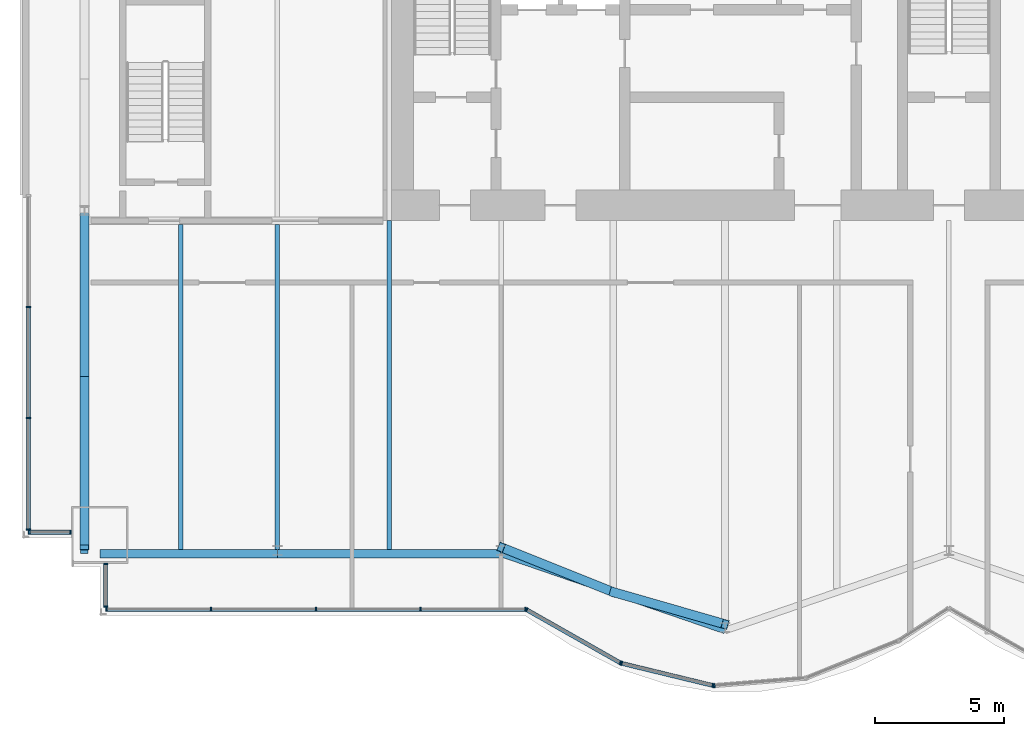
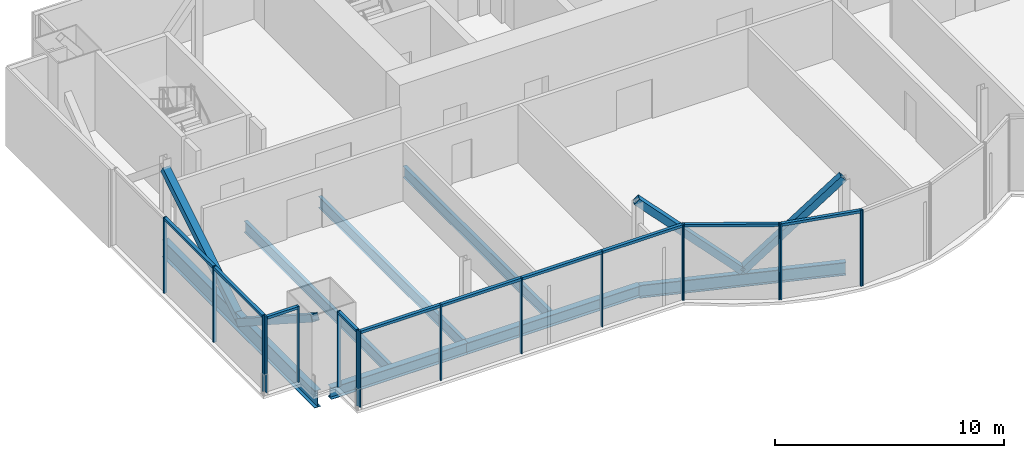
# One storey, part 5 of 19: 31 members, 7 beams, 5 elements without a shape of their own.
"""IFC4 building model written with IfcOpenShell, lengths in metres."""

import ifcopenshell
import ifcopenshell.guid

model = None  # the IFC model being written
_history = None  # IfcOwnerHistory: only IFC2X3 demands one
_inside = {}  # id of a spatial element -> (the spatial element, [elements in it])
_under = {}  # id of a project, library or spatial element -> (it, [spatial elements below it])
_declared = {}  # id of a project -> (the project, [libraries it declares])
_typed = {}  # id of a type object -> (the type object, [elements of that type])
_made_of = {}  # id of a material, layer set ... -> (it, [elements and type objects made of it])


def new_model(schema):
    """Start an empty IFC model of exactly this schema.

    Asked for "IFC4X3", IfcOpenShell would pick the latest addendum, in which some entities
    have other attributes; the version numbers below select the first issue.
    IFC2X3 requires an IfcOwnerHistory on every rooted entity: one is made here for all.
    """
    global model, _history
    if schema == "IFC4X3":
        model = ifcopenshell.file(schema_version=(4, 3, 0, 0))
    else:
        model = ifcopenshell.file(schema=schema)
    _inside.clear()
    _under.clear()
    _declared.clear()
    _typed.clear()
    _made_of.clear()
    _history = None
    if model.schema == "IFC2X3":
        org = make("IfcOrganization", Name="unknown")
        user = make(
            "IfcPersonAndOrganization",
            ThePerson=make("IfcPerson", FamilyName="unknown"),
            TheOrganization=org,
        )
        app = make(
            "IfcApplication",
            ApplicationDeveloper=org,
            Version="unknown",
            ApplicationFullName="unknown",
            ApplicationIdentifier="unknown",
        )
        _history = make(
            "IfcOwnerHistory",
            OwningUser=user,
            OwningApplication=app,
            ChangeAction="ADDED",
            CreationDate=0,
        )
    return model


def make(cls, **values):
    """One entity of the class cls with the attributes given. An attribute that is None is left unset."""
    return model.create_entity(
        cls, **{name: value for name, value in values.items() if value is not None}
    )


def rooted(cls, **values):
    """An entity with a GlobalId (a new one), such as an element, a storey or a relation."""
    return make(cls, GlobalId=ifcopenshell.guid.new(), OwnerHistory=_history, **values)


def si_unit(unit_type, name, prefix=None):
    """IfcSIUnit, for example si_unit("LENGTHUNIT", "METRE", prefix="MILLI")."""
    return make("IfcSIUnit", UnitType=unit_type, Prefix=prefix, Name=name)


def assignment(units):
    """IfcUnitAssignment: the units of a project."""
    return None if units is None else make("IfcUnitAssignment", Units=units)


def point(xyz):
    """IfcCartesianPoint."""
    return None if xyz is None else make("IfcCartesianPoint", Coordinates=xyz)


def direction(xyz):
    """IfcDirection."""
    return None if xyz is None else make("IfcDirection", DirectionRatios=xyz)


def frame(location, z_axis=None, x_axis=None):
    """IfcAxis2Placement3D, a coordinate frame: its origin and axes. An axis left out is left unset."""
    return make(
        "IfcAxis2Placement3D",
        Location=point(location),
        Axis=direction(z_axis),
        RefDirection=direction(x_axis),
    )


def frame_2d(location, x_axis=None):
    """IfcAxis2Placement2D, a coordinate frame in the plane: its origin and x axis."""
    return make(
        "IfcAxis2Placement2D", Location=point(location), RefDirection=direction(x_axis)
    )


def origin():
    """The frame at (0, 0, 0) with its axes left unset."""
    return frame((0.0, 0.0, 0.0))


def origin_2d():
    """The frame at (0, 0) in the plane with its x axis left unset."""
    return frame_2d((0.0, 0.0))


def place(relative_to, where):
    """IfcLocalPlacement: puts the frame where relative to a parent placement (None: the world)."""
    return make(
        "IfcLocalPlacement", PlacementRelTo=relative_to, RelativePlacement=where
    )


def context(
    kind, dimensions, precision=None, world=None, true_north=None, identifier=None
):
    """IfcGeometricRepresentationContext, for example the 3D "Model" context."""
    return make(
        "IfcGeometricRepresentationContext",
        ContextIdentifier=identifier,
        ContextType=kind,
        CoordinateSpaceDimension=dimensions,
        Precision=precision,
        WorldCoordinateSystem=world,
        TrueNorth=true_north,
    )


def subcontext(parent, identifier, kind, view, scale=None):
    """IfcGeometricRepresentationSubContext, for example "Body" below "Model"."""
    return make(
        "IfcGeometricRepresentationSubContext",
        ContextIdentifier=identifier,
        ContextType=kind,
        ParentContext=parent,
        TargetScale=scale,
        TargetView=view,
    )


def project(units=None, contexts=None):
    """IfcProject with its units and contexts."""
    return rooted(
        "IfcProject",
        Name="project",
        RepresentationContexts=contexts,
        UnitsInContext=assignment(units),
    )


def spatial(cls, under=None, at=None, **own):
    """A site, building, storey or space (cls), placed at a placement, below another one or the project."""
    s = rooted(cls, ObjectPlacement=at, **own)
    if under is not None:
        _under.setdefault(under.id(), (under, []))[1].append(s)
    return s


def profile(cls, at=None, kind="AREA", **sizes):
    """A parametric profile (cls). Its sizes go by their IFC names, for example OverallWidth=200.0."""
    return make(cls, ProfileType=kind, Position=at, **sizes)


def rectangle(**sizes):
    """IfcRectangleProfileDef."""
    return profile("IfcRectangleProfileDef", **sizes)


def hollow_rectangle(**sizes):
    """IfcRectangleHollowProfileDef."""
    return profile("IfcRectangleHollowProfileDef", **sizes)


def i_section(**sizes):
    """IfcIShapeProfileDef."""
    return profile("IfcIShapeProfileDef", **sizes)


def extrude(swept, where, along, depth):
    """IfcExtrudedAreaSolid: the profile swept, set in the frame where, extruded along a direction by depth."""
    return make(
        "IfcExtrudedAreaSolid",
        SweptArea=swept,
        Position=where,
        ExtrudedDirection=direction(along),
        Depth=depth,
    )


def shape(context_of_items, identifier, shape_type, items):
    """IfcShapeRepresentation: the items that make up one representation, for example the "Body"."""
    return make(
        "IfcShapeRepresentation",
        ContextOfItems=context_of_items,
        RepresentationIdentifier=identifier,
        RepresentationType=shape_type,
        Items=items,
    )


def material(Name=None, Category=None):
    """IfcMaterial."""
    return make("IfcMaterial", Name=Name, Category=Category)


def material_profile(
    of_material, cross_section, Name=None, Category=None, Priority=None
):
    """IfcMaterialProfile: a cross section and its material."""
    return make(
        "IfcMaterialProfile",
        Name=Name,
        Material=of_material,
        Profile=cross_section,
        Priority=Priority,
        Category=Category,
    )


def profile_set(profiles, Name=None, composite=None):
    """IfcMaterialProfileSet."""
    return make(
        "IfcMaterialProfileSet",
        Name=Name,
        MaterialProfiles=profiles,
        CompositeProfile=composite,
    )


def made_of(thing, what):
    """Note that an element or type object is made of a material, layer set ...; save() writes the relation."""
    if what is not None:
        _made_of.setdefault(what.id(), (what, []))[1].append(thing)
    return thing


def type_object(cls, material=None, **own):
    """A type object (cls), such as IfcWallType, which elements share."""
    return made_of(rooted(cls, **own), material)


def element(
    cls,
    number,
    at=None,
    inside=None,
    cuts=None,
    type_object=None,
    material=None,
    context=None,
    identifier="Body",
    shape_type=None,
    held_by="IfcProductDefinitionShape",
    body=None,
    shapes=None,
    **own,
):
    """One element of the class cls, such as IfcWall. Its Tag is "e" and its number.

    at: its placement. inside: the storey or other place that contains it. cuts: it is an
    opening in that element (IfcRelVoidsElement). A single representation is given by context,
    identifier, shape_type and body (its items); several are given by shapes. held_by: the class
    of the entity that holds the representations. save() writes the other relations.
    """
    e = rooted(cls, Tag="e%d" % number, ObjectPlacement=at, **own)
    if body is not None:
        shapes = [shape(context, identifier, shape_type, body)]
    if shapes is not None:
        e.Representation = make(held_by, Representations=shapes)
    if inside is not None:
        _inside.setdefault(inside.id(), (inside, []))[1].append(e)
    if cuts is not None:
        rooted(
            "IfcRelVoidsElement", RelatingBuildingElement=cuts, RelatedOpeningElement=e
        )
    if type_object is not None:
        _typed.setdefault(type_object.id(), (type_object, []))[1].append(e)
    return made_of(e, material)


def aggregate(whole, parts):
    """IfcRelAggregates: a whole, such as a stair, and the parts it consists of."""
    return rooted("IfcRelAggregates", RelatingObject=whole, RelatedObjects=parts)


def save(model, path):
    """Write the relations noted so far, then the file.

    IfcRelAggregates (storeys below a building ...), IfcRelContainedInSpatialStructure (elements
    in a storey), IfcRelDefinesByType, IfcRelAssociatesMaterial and IfcRelDeclares: one each for
    every whole, place, type object, material and project.
    """
    for whole, parts in _under.values():
        aggregate(whole, parts)
    for where, things in _inside.values():
        rooted(
            "IfcRelContainedInSpatialStructure",
            RelatedElements=things,
            RelatingStructure=where,
        )
    for kind, things in _typed.values():
        rooted("IfcRelDefinesByType", RelatedObjects=things, RelatingType=kind)
    for what, things in _made_of.values():
        rooted("IfcRelAssociatesMaterial", RelatedObjects=things, RelatingMaterial=what)
    for by, libraries in _declared.values():
        rooted("IfcRelDeclares", RelatingContext=by, RelatedDefinitions=libraries)
    model.write(path)


model = new_model("IFC4")

# Units and contexts
model_context = context("Model", 3, precision=1e-05, world=origin(), true_north=direction((0.0, 1.0)))
body_context = subcontext(model_context, "Body", "Model", "MODEL_VIEW")
ifc_project = project(units=[si_unit("LENGTHUNIT", "METRE"), si_unit("AREAUNIT", "SQUARE_METRE"), si_unit("VOLUMEUNIT", "CUBIC_METRE"), si_unit("PLANEANGLEUNIT", "RADIAN"), si_unit("MASSUNIT", "GRAM", prefix="KILO")], contexts=[model_context])

# Site, building, storey
site_placement = place(None, origin())
site = spatial("IfcSite", under=ifc_project, at=site_placement, CompositionType="ELEMENT")
building_placement = place(site_placement, origin())
building = spatial("IfcBuilding", under=site, at=building_placement, Name="Bicima Exchange Tower", CompositionType="ELEMENT")
storey_placement = place(building_placement, frame((0.0, 0.0, 275.0)))
storey = spatial("IfcBuildingStorey", under=building, at=storey_placement, Name="L62", CompositionType="ELEMENT", Elevation=275.0)

# Curtain wall, members
ifc_material_1 = material(Name="Anodised bronze aluminium", Category="aluminium")
curtain_wall_type_1 = type_object("IfcCurtainWallType", Name="End face glass wall", PredefinedType="NOTDEFINED", material=ifc_material_1)
curtain_wall_1_placement = place(storey_placement, origin())
curtain_wall_1 = element("IfcCurtainWall", 1, at=curtain_wall_1_placement, inside=storey, type_object=curtain_wall_type_1, Name="End face glass wall L62 run 2", PredefinedType="NOTDEFINED")
ifc_material_profile_1 = material_profile(ifc_material_1, rectangle(XDim=0.159912109375, YDim=0.06005859375, at=origin_2d()))
ifc_profile_set_1 = profile_set([ifc_material_profile_1], Name="Anodised bronze aluminium")
member_type_1 = type_object("IfcMemberType", Name="End face glass wall mullion 60 x 160", PredefinedType="MULLION", material=ifc_profile_set_1)
member_1_placement = place(storey_placement, frame((-35.77001953125, -16.35205078125, 0.0), z_axis=(0.0, 0.0, 1.0), x_axis=(1.0, 0.0, 0.0)))
member_1 = element("IfcMember", 2, at=member_1_placement, type_object=member_type_1, Name="End face glass wall mullion 2", PredefinedType="MULLION", context=body_context, shape_type="SweptSolid", body=[
    extrude(rectangle(XDim=0.159912109375, YDim=0.06005859375, at=origin_2d()), origin(), (0.0, 0.0, 1.0), 4.050048828125),
])
member_2_placement = place(storey_placement, frame((-35.77001953125, -20.674072265625, 0.0), z_axis=(0.0, 0.0, 1.0), x_axis=(1.0, 0.0, 0.0)))
member_2 = element("IfcMember", 3, at=member_2_placement, type_object=member_type_1, Name="End face glass wall mullion 3", PredefinedType="MULLION", context=body_context, shape_type="SweptSolid", body=[
    extrude(rectangle(XDim=0.159912109375, YDim=0.06005859375, at=origin_2d()), origin(), (0.0, 0.0, 1.0), 4.050048828125),
])
member_3_placement = place(storey_placement, frame((-35.77001953125, -24.99609375, 0.0), z_axis=(0.0, 0.0, 1.0), x_axis=(1.0, 0.0, 0.0)))
member_3 = element("IfcMember", 4, at=member_3_placement, type_object=member_type_1, Name="End face glass wall mullion 4", PredefinedType="MULLION", context=body_context, shape_type="SweptSolid", body=[
    extrude(rectangle(XDim=0.159912109375, YDim=0.06005859375, at=origin_2d()), origin(), (0.0, 0.0, 1.0), 4.050048828125),
])
ifc_material_profile_2 = material_profile(ifc_material_1, rectangle(XDim=0.159912109375, YDim=0.139892578125, at=origin_2d()))
ifc_profile_set_2 = profile_set([ifc_material_profile_2], Name="Anodised bronze aluminium")
member_type_2 = type_object("IfcMemberType", Name="End face glass wall transom 140 x 160", PredefinedType="USERDEFINED", material=ifc_profile_set_2)
member_4_placement = place(storey_placement, frame((-35.77001953125, -16.382080078125, 3.97998046875), z_axis=(0.0, -1.0, 0.0), x_axis=(1.0, 0.0, 0.0)))
member_4 = element("IfcMember", 5, at=member_4_placement, type_object=member_type_2, Name="End face glass wall transom 2.1", ObjectType="TRANSOM", PredefinedType="USERDEFINED", context=body_context, shape_type="SweptSolid", body=[
    extrude(rectangle(XDim=0.159912109375, YDim=0.139892578125, at=origin_2d()), origin(), (0.0, 0.0, 1.0), 4.261962890625),
])
member_5_placement = place(storey_placement, frame((-35.77001953125, -20.7041015625, 3.97998046875), z_axis=(0.0, -1.0, 0.0), x_axis=(1.0, 0.0, 0.0)))
member_5 = element("IfcMember", 6, at=member_5_placement, type_object=member_type_2, Name="End face glass wall transom 3.1", ObjectType="TRANSOM", PredefinedType="USERDEFINED", context=body_context, shape_type="SweptSolid", body=[
    extrude(rectangle(XDim=0.159912109375, YDim=0.139892578125, at=origin_2d()), origin(), (0.0, 0.0, 1.0), 4.261962890625),
])
aggregate(curtain_wall_1, [member_1, member_2, member_3, member_4, member_5])

# Beams
ifc_material_2 = material(Name="Steel ASTM A992 Gr 50", Category="steel")
ifc_material_profile_3 = material_profile(ifc_material_2, i_section(OverallWidth=0.3046875, OverallDepth=0.911865234375, WebThickness=0.015869140625, FlangeThickness=0.02392578125, at=origin_2d()))
ifc_profile_set_3 = profile_set([ifc_material_profile_3], Name="Steel ASTM A992 Gr 50")
beam_type_1 = type_object("IfcBeamType", Name="End girder W36x150", PredefinedType="BEAM", material=ifc_profile_set_3)
beam_1_placement = place(storey_placement, frame((-33.60009765625, -12.60009765625, -0.60595703125), z_axis=(0.0, -1.0, 0.0), x_axis=(1.0, 0.0, 0.0)))
element("IfcBeam", 7, at=beam_1_placement, inside=storey, type_object=beam_type_1, Name="End girder", PredefinedType="BEAM", context=body_context, shape_type="SweptSolid", body=[
    extrude(i_section(OverallWidth=0.3046875, OverallDepth=0.911865234375, WebThickness=0.015869140625, FlangeThickness=0.02392578125, at=origin_2d()), origin(), (0.0, 0.0, 1.0), 13.3359375),
])
ifc_material_profile_4 = material_profile(ifc_material_2, i_section(OverallWidth=0.177978515625, OverallDepth=0.599365234375, WebThickness=0.010009765625, FlangeThickness=0.012939453125, at=origin_2d()))
ifc_profile_set_4 = profile_set([ifc_material_profile_4], Name="Steel ASTM A992 Gr 50")
beam_type_2 = type_object("IfcBeamType", Name="Floor beam W24x55", PredefinedType="JOIST", material=ifc_profile_set_4)
for number, where, z_axis, x_axis, name in (
    (8, (-29.85009765625, -13.15234375, -0.44970703125), (0.0, -1.0, 0.0), (1.0, 0.0, 0.0), "Floor beam"),
    (9, (-26.10009765625, -13.15234375, -0.44970703125), (0.0, -1.0, 0.0), (1.0, 0.0, 0.0), "Floor beam"),
):
    element("IfcBeam", number, at=place(storey_placement, frame(where, z_axis=z_axis, x_axis=x_axis)), inside=storey, type_object=beam_type_2, Name=name, PredefinedType="JOIST", context=body_context, shape_type="SweptSolid", body=[
        extrude(i_section(OverallWidth=0.177978515625, OverallDepth=0.599365234375, WebThickness=0.010009765625, FlangeThickness=0.012939453125, at=origin_2d()), origin(), (0.0, 0.0, 1.0), 12.62109375),
    ])
beam_2_placement = place(storey_placement, frame((-21.75, -13.0, -0.44970703125), z_axis=(0.0, -1.0, 0.0), x_axis=(1.0, 0.0, 0.0)))
element("IfcBeam", 10, at=beam_2_placement, inside=storey, type_object=beam_type_2, Name="Floor beam", PredefinedType="JOIST", context=body_context, shape_type="SweptSolid", body=[
    extrude(i_section(OverallWidth=0.177978515625, OverallDepth=0.599365234375, WebThickness=0.010009765625, FlangeThickness=0.012939453125, at=origin_2d()), origin(), (0.0, 0.0, 1.0), 12.7734375),
])
ifc_material_profile_5 = material_profile(ifc_material_2, i_section(OverallWidth=0.3251953125, OverallDepth=0.612060546875, WebThickness=0.0126953125, FlangeThickness=0.01904296875, at=origin_2d()))
ifc_profile_set_5 = profile_set([ifc_material_profile_5], Name="Steel ASTM A992 Gr 50")
beam_type_3 = type_object("IfcBeamType", Name="Front girder W24x104", PredefinedType="BEAM", material=ifc_profile_set_5)
beam_3_placement = place(storey_placement, frame((-33.0, -25.93603515625, -0.4560546875), z_axis=(1.0, 0.0, 0.0), x_axis=(0.0, 1.0, 0.0)))
element("IfcBeam", 11, at=beam_3_placement, inside=storey, type_object=beam_type_3, Name="Front girder", PredefinedType="BEAM", context=body_context, shape_type="SweptSolid", body=[
    extrude(i_section(OverallWidth=0.3251953125, OverallDepth=0.612060546875, WebThickness=0.0126953125, FlangeThickness=0.01904296875, at=origin_2d()), origin(), (0.0, 0.0, 1.0), 6.89990234375),
])
beam_4_placement = place(storey_placement, frame((-26.10009765625, -25.93603515625, -0.4560546875), z_axis=(1.0, 0.0, 0.0), x_axis=(0.0, 1.0, 0.0)))
element("IfcBeam", 12, at=beam_4_placement, inside=storey, type_object=beam_type_3, Name="Front girder", PredefinedType="BEAM", context=body_context, shape_type="SweptSolid", body=[
    extrude(i_section(OverallWidth=0.3251953125, OverallDepth=0.612060546875, WebThickness=0.0126953125, FlangeThickness=0.01904296875, at=origin_2d()), origin(), (0.0, 0.0, 1.0), 8.7001953125),
])
ifc_material_profile_6 = material_profile(ifc_material_2, i_section(OverallWidth=0.256591796875, OverallDepth=0.693359375, WebThickness=0.014404296875, FlangeThickness=0.023681640625, at=origin_2d()))
ifc_profile_set_6 = profile_set([ifc_material_profile_6], Name="Steel ASTM A992 Gr 50")
beam_type_4 = type_object("IfcBeamType", Name="Front girder W27x114", PredefinedType="BEAM", material=ifc_profile_set_6)
beam_5_placement = place(storey_placement, frame((-17.39990234375, -25.93603515625, -0.49658203125), z_axis=(0.945674616091, -0.32511462668, 0.0), x_axis=(0.32511462668, 0.945674616091, 0.0)))
element("IfcBeam", 13, at=beam_5_placement, inside=storey, type_object=beam_type_4, Name="Front girder", PredefinedType="BEAM", context=body_context, shape_type="SweptSolid", body=[
    extrude(i_section(OverallWidth=0.256591796875, OverallDepth=0.693359375, WebThickness=0.014404296875, FlangeThickness=0.023681640625, at=origin_2d()), origin(), (0.0, 0.0, 1.0), 9.19970703125),
])

# Curtain wall, members
curtain_wall_type_2 = type_object("IfcCurtainWallType", Name="Front glass wall", PredefinedType="NOTDEFINED", material=ifc_material_1)
curtain_wall_2_placement = place(storey_placement, origin())
curtain_wall_2 = element("IfcCurtainWall", 14, at=curtain_wall_2_placement, inside=storey, type_object=curtain_wall_type_2, Name="Front glass wall L62 run 3", PredefinedType="NOTDEFINED")
member_type_3 = type_object("IfcMemberType", Name="Front glass wall mullion 60 x 160", PredefinedType="MULLION", material=ifc_profile_set_1)
member_6_placement = place(storey_placement, frame((-35.739990234375, -25.10595703125, 0.0), z_axis=(0.0, 0.0, 1.0), x_axis=(0.0, 1.0, 0.0)))
member_6 = element("IfcMember", 15, at=member_6_placement, type_object=member_type_3, Name="Front glass wall mullion 1", PredefinedType="MULLION", context=body_context, shape_type="SweptSolid", body=[
    extrude(rectangle(XDim=0.159912109375, YDim=0.06005859375, at=origin_2d()), origin(), (0.0, 0.0, 1.0), 4.050048828125),
])
member_7_placement = place(storey_placement, frame((-34.1298828125, -25.10595703125, 0.0), z_axis=(0.0, 0.0, 1.0), x_axis=(0.0, 1.0, 0.0)))
member_7 = element("IfcMember", 16, at=member_7_placement, type_object=member_type_3, Name="Front glass wall mullion 2", PredefinedType="MULLION", context=body_context, shape_type="SweptSolid", body=[
    extrude(rectangle(XDim=0.159912109375, YDim=0.06005859375, at=origin_2d()), origin(), (0.0, 0.0, 1.0), 4.050048828125),
])

curtain_wall_3_placement = place(storey_placement, origin())
curtain_wall_3 = element("IfcCurtainWall", 17, at=curtain_wall_3_placement, inside=storey, type_object=curtain_wall_type_2, Name="Front glass wall L62 run 4", PredefinedType="NOTDEFINED")
member_8_placement = place(storey_placement, frame((-32.77001953125, -26.343994140625, 0.0), z_axis=(0.0, 0.0, 1.0), x_axis=(1.0, 0.0, 0.0)))
member_8 = element("IfcMember", 18, at=member_8_placement, type_object=member_type_3, Name="Front glass wall mullion 1", PredefinedType="MULLION", context=body_context, shape_type="SweptSolid", body=[
    extrude(rectangle(XDim=0.159912109375, YDim=0.06005859375, at=origin_2d()), origin(), (0.0, 0.0, 1.0), 4.050048828125),
])
member_9_placement = place(storey_placement, frame((-32.77001953125, -27.99609375, 0.0), z_axis=(0.0, 0.0, 1.0), x_axis=(1.0, 0.0, 0.0)))
member_9 = element("IfcMember", 19, at=member_9_placement, type_object=member_type_3, Name="Front glass wall mullion 2", PredefinedType="MULLION", context=body_context, shape_type="SweptSolid", body=[
    extrude(rectangle(XDim=0.159912109375, YDim=0.06005859375, at=origin_2d()), origin(), (0.0, 0.0, 1.0), 4.050048828125),
])

curtain_wall_4_placement = place(storey_placement, origin())
curtain_wall_4 = element("IfcCurtainWall", 20, at=curtain_wall_4_placement, inside=storey, type_object=curtain_wall_type_2, Name="Front glass wall L62 run 5", PredefinedType="NOTDEFINED")
member_10_placement = place(storey_placement, frame((-32.739990234375, -28.10595703125, 0.0), z_axis=(0.0, 0.0, 1.0), x_axis=(0.0, 1.0, 0.0)))
member_10 = element("IfcMember", 21, at=member_10_placement, type_object=member_type_3, Name="Front glass wall mullion 1", PredefinedType="MULLION", context=body_context, shape_type="SweptSolid", body=[
    extrude(rectangle(XDim=0.159912109375, YDim=0.06005859375, at=origin_2d()), origin(), (0.0, 0.0, 1.0), 4.050048828125),
])
member_11_placement = place(storey_placement, frame((-28.67041015625, -28.10595703125, 0.0), z_axis=(0.0, 0.0, 1.0), x_axis=(0.0, 1.0, 0.0)))
member_11 = element("IfcMember", 22, at=member_11_placement, type_object=member_type_3, Name="Front glass wall mullion 2", PredefinedType="MULLION", context=body_context, shape_type="SweptSolid", body=[
    extrude(rectangle(XDim=0.159912109375, YDim=0.06005859375, at=origin_2d()), origin(), (0.0, 0.0, 1.0), 4.050048828125),
])
member_12_placement = place(storey_placement, frame((-24.60107421875, -28.10595703125, 0.0), z_axis=(0.0, 0.0, 1.0), x_axis=(0.0, 1.0, 0.0)))
member_12 = element("IfcMember", 23, at=member_12_placement, type_object=member_type_3, Name="Front glass wall mullion 3", PredefinedType="MULLION", context=body_context, shape_type="SweptSolid", body=[
    extrude(rectangle(XDim=0.159912109375, YDim=0.06005859375, at=origin_2d()), origin(), (0.0, 0.0, 1.0), 4.050048828125),
])
member_13_placement = place(storey_placement, frame((-20.531494140625, -28.10595703125, 0.0), z_axis=(0.0, 0.0, 1.0), x_axis=(0.0, 1.0, 0.0)))
member_13 = element("IfcMember", 24, at=member_13_placement, type_object=member_type_3, Name="Front glass wall mullion 4", PredefinedType="MULLION", context=body_context, shape_type="SweptSolid", body=[
    extrude(rectangle(XDim=0.159912109375, YDim=0.06005859375, at=origin_2d()), origin(), (0.0, 0.0, 1.0), 4.050048828125),
])
member_14_placement = place(storey_placement, frame((-16.462158203125, -28.10595703125, 0.0), z_axis=(0.0, 0.0, 1.0), x_axis=(0.0, 1.0, 0.0)))
member_14 = element("IfcMember", 25, at=member_14_placement, type_object=member_type_3, Name="Front glass wall mullion 5", PredefinedType="MULLION", context=body_context, shape_type="SweptSolid", body=[
    extrude(rectangle(XDim=0.159912109375, YDim=0.06005859375, at=origin_2d()), origin(), (0.0, 0.0, 1.0), 4.050048828125),
])

curtain_wall_5_placement = place(storey_placement, origin())
curtain_wall_5 = element("IfcCurtainWall", 26, at=curtain_wall_5_placement, inside=storey, type_object=curtain_wall_type_2, Name="Front glass wall L62 run 6", PredefinedType="NOTDEFINED")
member_15_placement = place(storey_placement, frame((-16.406005859375, -28.120849609375, 0.0), z_axis=(0.0, 0.0, 1.0), x_axis=(0.493395449343, 0.869805110681, 0.0)))
member_15 = element("IfcMember", 27, at=member_15_placement, type_object=member_type_3, Name="Front glass wall mullion 1", PredefinedType="MULLION", context=body_context, shape_type="SweptSolid", body=[
    extrude(rectangle(XDim=0.159912109375, YDim=0.06005859375, at=origin_2d()), origin(), (0.0, 0.0, 1.0), 4.050048828125),
])
member_16_placement = place(storey_placement, frame((-12.7734375, -30.181396484375, 0.0), z_axis=(0.0, 0.0, 1.0), x_axis=(0.493395449343, 0.869805110681, 0.0)))
member_16 = element("IfcMember", 28, at=member_16_placement, type_object=member_type_3, Name="Front glass wall mullion 2", PredefinedType="MULLION", context=body_context, shape_type="SweptSolid", body=[
    extrude(rectangle(XDim=0.159912109375, YDim=0.06005859375, at=origin_2d()), origin(), (0.0, 0.0, 1.0), 4.050048828125),
])
member_17_placement = place(storey_placement, frame((-12.718017578125, -30.203369140625, 0.0), z_axis=(0.0, 0.0, 1.0), x_axis=(0.235681529503, 0.971830343553, 0.0)))
member_17 = element("IfcMember", 29, at=member_17_placement, type_object=member_type_3, Name="Front glass wall mullion 1", PredefinedType="MULLION", context=body_context, shape_type="SweptSolid", body=[
    extrude(rectangle(XDim=0.159912109375, YDim=0.06005859375, at=origin_2d()), origin(), (0.0, 0.0, 1.0), 4.050048828125),
])
member_18_placement = place(storey_placement, frame((-9.177490234375, -31.06201171875, 0.0), z_axis=(0.0, 0.0, 1.0), x_axis=(0.235681529503, 0.971830343553, 0.0)))
member_18 = element("IfcMember", 30, at=member_18_placement, type_object=member_type_3, Name="Front glass wall mullion 2", PredefinedType="MULLION", context=body_context, shape_type="SweptSolid", body=[
    extrude(rectangle(XDim=0.159912109375, YDim=0.06005859375, at=origin_2d()), origin(), (0.0, 0.0, 1.0), 4.050048828125),
])
member_19_placement = place(storey_placement, frame((-9.118408203125, -31.066650390625, 0.0), z_axis=(0.0, 0.0, 1.0), x_axis=(-0.080588612633, 0.99674744821, 0.0)))
member_19 = element("IfcMember", 31, at=member_19_placement, type_object=member_type_3, Name="Front glass wall mullion 1", PredefinedType="MULLION", context=body_context, shape_type="SweptSolid", body=[
    extrude(rectangle(XDim=0.159912109375, YDim=0.06005859375, at=origin_2d()), origin(), (0.0, 0.0, 1.0), 4.050048828125),
])

# Member
member_type_4 = type_object("IfcMemberType", Name="Front glass wall transom 140 x 160", PredefinedType="USERDEFINED", material=ifc_profile_set_2)
member_20_placement = place(storey_placement, frame((-35.7099609375, -25.10595703125, 3.97998046875), z_axis=(1.0, 0.0, 0.0), x_axis=(0.0, 1.0, 0.0)))
member_20 = element("IfcMember", 32, at=member_20_placement, type_object=member_type_4, Name="Front glass wall transom 1.1", ObjectType="TRANSOM", PredefinedType="USERDEFINED", context=body_context, shape_type="SweptSolid", body=[
    extrude(rectangle(XDim=0.159912109375, YDim=0.139892578125, at=origin_2d()), origin(), (0.0, 0.0, 1.0), 1.550048828125),
])

aggregate(curtain_wall_2, [member_6, member_7, member_20])

member_21_placement = place(storey_placement, frame((-32.77001953125, -26.3740234375, 3.97998046875), z_axis=(0.0, -1.0, 0.0), x_axis=(1.0, 0.0, 0.0)))
member_21 = element("IfcMember", 33, at=member_21_placement, type_object=member_type_4, Name="Front glass wall transom 1.1", ObjectType="TRANSOM", PredefinedType="USERDEFINED", context=body_context, shape_type="SweptSolid", body=[
    extrude(rectangle(XDim=0.159912109375, YDim=0.139892578125, at=origin_2d()), origin(), (0.0, 0.0, 1.0), 1.592041015625),
])

aggregate(curtain_wall_3, [member_8, member_9, member_21])

member_22_placement = place(storey_placement, frame((-32.7099609375, -28.10595703125, 3.97998046875), z_axis=(1.0, 0.0, 0.0), x_axis=(0.0, 1.0, 0.0)))
member_22 = element("IfcMember", 34, at=member_22_placement, type_object=member_type_4, Name="Front glass wall transom 1.1", ObjectType="TRANSOM", PredefinedType="USERDEFINED", context=body_context, shape_type="SweptSolid", body=[
    extrude(rectangle(XDim=0.159912109375, YDim=0.139892578125, at=origin_2d()), origin(), (0.0, 0.0, 1.0), 4.009521484375),
])

member_23_placement = place(storey_placement, frame((-28.640380859375, -28.10595703125, 3.97998046875), z_axis=(1.0, 0.0, 0.0), x_axis=(0.0, 1.0, 0.0)))
member_23 = element("IfcMember", 35, at=member_23_placement, type_object=member_type_4, Name="Front glass wall transom 2.1", ObjectType="TRANSOM", PredefinedType="USERDEFINED", context=body_context, shape_type="SweptSolid", body=[
    extrude(rectangle(XDim=0.159912109375, YDim=0.139892578125, at=origin_2d()), origin(), (0.0, 0.0, 1.0), 4.00927734375),
])

member_24_placement = place(storey_placement, frame((-24.571044921875, -28.10595703125, 3.97998046875), z_axis=(1.0, 0.0, 0.0), x_axis=(0.0, 1.0, 0.0)))
member_24 = element("IfcMember", 36, at=member_24_placement, type_object=member_type_4, Name="Front glass wall transom 3.1", ObjectType="TRANSOM", PredefinedType="USERDEFINED", context=body_context, shape_type="SweptSolid", body=[
    extrude(rectangle(XDim=0.159912109375, YDim=0.139892578125, at=origin_2d()), origin(), (0.0, 0.0, 1.0), 4.009521484375),
])

member_25_placement = place(storey_placement, frame((-20.501708984375, -28.10595703125, 3.97998046875), z_axis=(1.0, 0.0, 0.0), x_axis=(0.0, 1.0, 0.0)))
member_25 = element("IfcMember", 37, at=member_25_placement, type_object=member_type_4, Name="Front glass wall transom 4.1", ObjectType="TRANSOM", PredefinedType="USERDEFINED", context=body_context, shape_type="SweptSolid", body=[
    extrude(rectangle(XDim=0.159912109375, YDim=0.139892578125, at=origin_2d()), origin(), (0.0, 0.0, 1.0), 4.009521484375),
])

aggregate(curtain_wall_4, [member_10, member_11, member_12, member_13, member_14, member_22, member_23, member_24, member_25])

member_26_placement = place(storey_placement, frame((-16.3798828125, -28.135498046875, 3.97998046875), z_axis=(0.869797371721, -0.49340909208, 0.0), x_axis=(0.49340909208, 0.869797371721, 0.0)))
member_26 = element("IfcMember", 38, at=member_26_placement, type_object=member_type_4, Name="Front glass wall transom 1.1", ObjectType="TRANSOM", PredefinedType="USERDEFINED", context=body_context, shape_type="SweptSolid", body=[
    extrude(rectangle(XDim=0.159912109375, YDim=0.139892578125, at=origin_2d()), origin(), (0.0, 0.0, 1.0), 4.1162109375),
])

member_27_placement = place(storey_placement, frame((-12.68896484375, -30.210205078125, 3.97998046875), z_axis=(0.971817951661, -0.235732621477, 0.0), x_axis=(0.235732621477, 0.971817951661, 0.0)))
member_27 = element("IfcMember", 39, at=member_27_placement, type_object=member_type_4, Name="Front glass wall transom 1.1", ObjectType="TRANSOM", PredefinedType="USERDEFINED", context=body_context, shape_type="SweptSolid", body=[
    extrude(rectangle(XDim=0.159912109375, YDim=0.139892578125, at=origin_2d()), origin(), (0.0, 0.0, 1.0), 3.58349609375),
])

aggregate(curtain_wall_5, [member_15, member_16, member_26, member_17, member_18, member_27, member_19])

# Members
ifc_material_3 = material(Name="Steel ASTM A572 Gr 50", Category="steel")
ifc_material_profile_7 = material_profile(ifc_material_3, hollow_rectangle(XDim=0.355712890625, YDim=0.355712890625, WallThickness=0.0146484375, at=origin_2d()))
ifc_profile_set_7 = profile_set([ifc_material_profile_7], Name="Steel ASTM A572 Gr 50")
member_type_5 = type_object("IfcMemberType", Name="Mega brace HSS14x14x5/8", PredefinedType="BRACE", material=ifc_profile_set_7)
member_28_placement = place(storey_placement, frame((-13.050048828125, -27.431396484375, 0.0), z_axis=(0.704477663836, -0.202708327674, 0.680162153495), x_axis=(0.276522876258, 0.961007335511, 0.0)))
element("IfcMember", 40, at=member_28_placement, inside=storey, type_object=member_type_5, Name="Mega brace front", PredefinedType="BRACE", context=body_context, shape_type="SweptSolid", body=[
    extrude(hollow_rectangle(XDim=0.355712890625, YDim=0.355712890625, WallThickness=0.0146484375, at=origin_2d()), origin(), (0.0, 0.0, 1.0), 6.1748046875),
])
member_29_placement = place(storey_placement, frame((-13.050048828125, -27.431396484375, 0.0), z_axis=(-0.691353360339, 0.276471498704, 0.667528307679), x_axis=(-0.371309808925, -0.928509033772, 0.0)))
element("IfcMember", 41, at=member_29_placement, inside=storey, type_object=member_type_5, Name="Mega brace front", PredefinedType="BRACE", context=body_context, shape_type="SweptSolid", body=[
    extrude(hollow_rectangle(XDim=0.355712890625, YDim=0.355712890625, WallThickness=0.0146484375, at=origin_2d()), origin(), (0.0, 0.0, 1.0), 6.291748046875),
])
member_30_placement = place(storey_placement, frame((-33.60009765625, -19.14599609375, -0.60595703125), z_axis=(0.0, -0.841653433979, 0.540018052542), x_axis=(1.0, 0.0, 0.0)))
element("IfcMember", 42, at=member_30_placement, inside=storey, type_object=member_type_5, Name="Mega brace west end", PredefinedType="BRACE", context=body_context, shape_type="SweptSolid", body=[
    extrude(hollow_rectangle(XDim=0.355712890625, YDim=0.355712890625, WallThickness=0.0146484375, at=origin_2d()), origin(), (0.0, 0.0, 1.0), 7.77734375),
])
member_31_placement = place(storey_placement, frame((-33.60009765625, -19.389892578125, -0.60595703125), z_axis=(0.0, 0.850447570222, 0.526059816279), x_axis=(-1.0, 0.0, 0.0)))
element("IfcMember", 43, at=member_31_placement, inside=storey, type_object=member_type_5, Name="Mega brace west end", PredefinedType="BRACE", context=body_context, shape_type="SweptSolid", body=[
    extrude(hollow_rectangle(XDim=0.355712890625, YDim=0.355712890625, WallThickness=0.0146484375, at=origin_2d()), origin(), (0.0, 0.0, 1.0), 7.98388671875),
])

save(model, "model.ifc")
